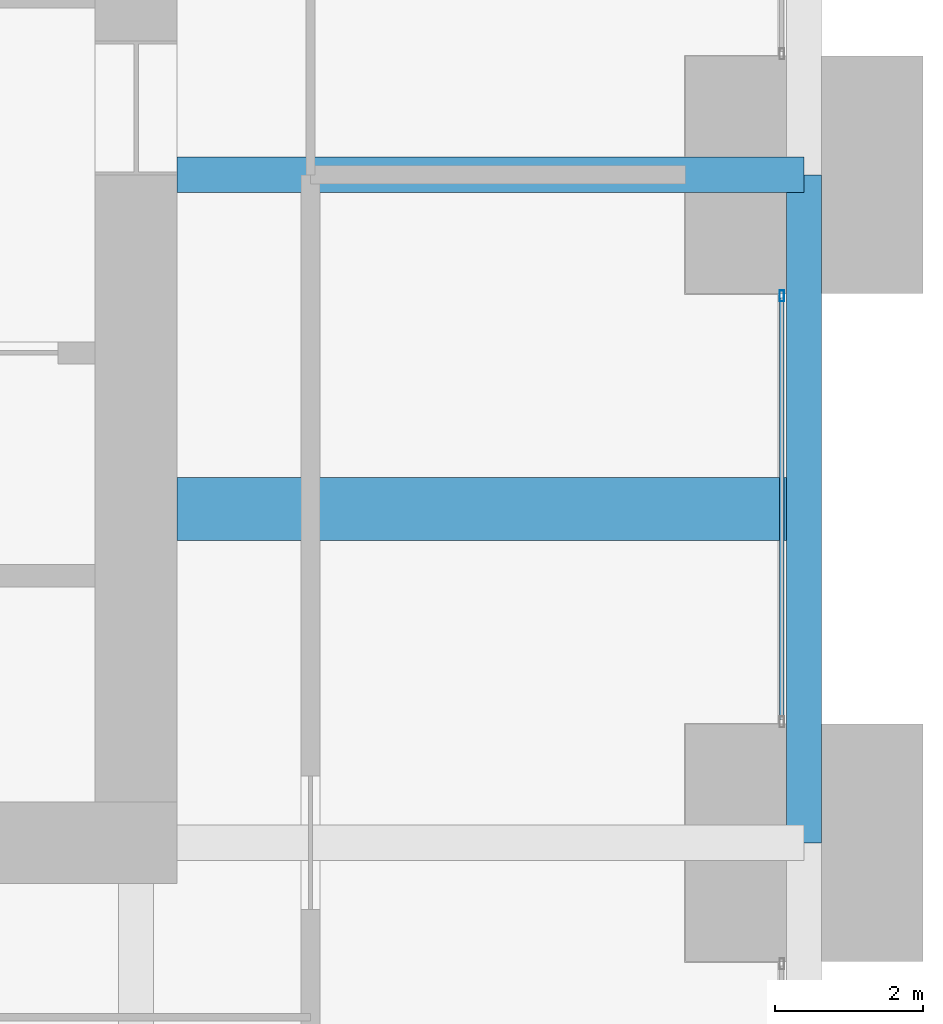
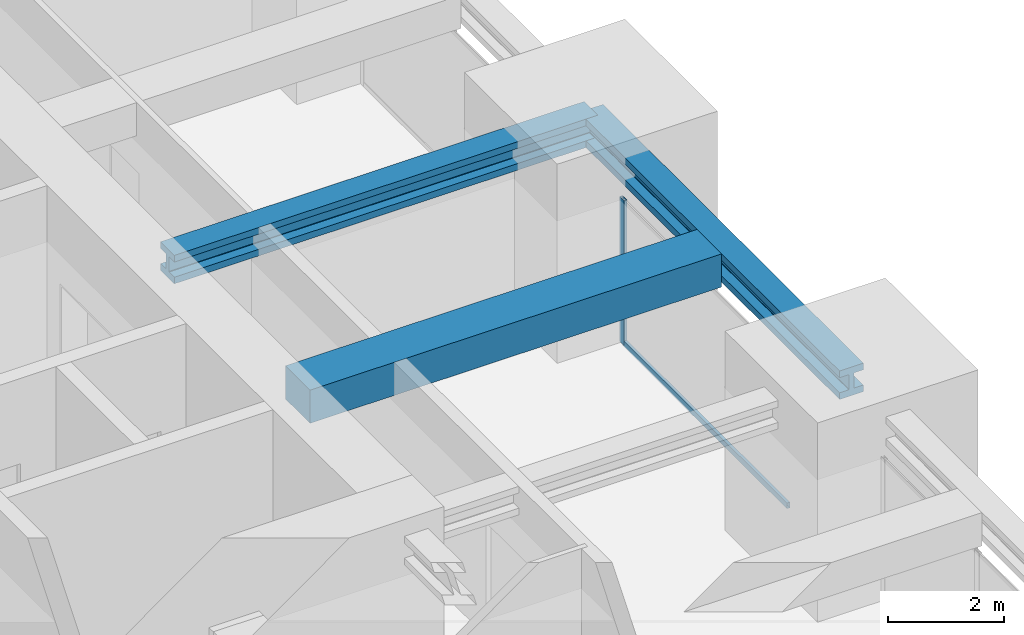
# One storey, part 21 of 39: 3 beams, 2 members, 1 element without a shape of its own.
"""IFC4 building model written with IfcOpenShell, lengths in metres."""

from ifc_helpers import new_model, si_unit, direction, frame, origin, origin_2d, place, context, subcontext, project, spatial, rectangle, hollow_rectangle, i_section, extrude, material, material_profile, profile_set, type_object, element, aggregate, save


model = new_model("IFC4")

# Units and contexts
model_context = context("Model", 3, precision=1e-05, world=origin(), true_north=direction((0.0, 1.0)))
body_context = subcontext(model_context, "Body", "Model", "MODEL_VIEW")
ifc_project = project(units=[si_unit("LENGTHUNIT", "METRE"), si_unit("AREAUNIT", "SQUARE_METRE"), si_unit("VOLUMEUNIT", "CUBIC_METRE"), si_unit("PLANEANGLEUNIT", "RADIAN"), si_unit("MASSUNIT", "GRAM", prefix="KILO")], contexts=[model_context])

# Site, building, storey
site_placement = place(None, origin())
site = spatial("IfcSite", under=ifc_project, at=site_placement, CompositionType="ELEMENT")
building_placement = place(site_placement, origin())
building = spatial("IfcBuilding", under=site, at=building_placement, Name="Zorevar Civic Tower", CompositionType="ELEMENT")
storey_placement = place(building_placement, frame((0.0, 0.0, 230.199951171875)))
storey = spatial("IfcBuildingStorey", under=building, at=storey_placement, Name="L56", CompositionType="ELEMENT", Elevation=230.199951171875)

# Beams
ifc_material_1 = material(Name="Concrete C50/60", Category="concrete")
ifc_material_profile_1 = material_profile(ifc_material_1, rectangle(XDim=0.85009765625, YDim=0.699951171875, at=origin_2d()), Name="RC 850x700")
ifc_profile_set_1 = profile_set([ifc_material_profile_1], Name="Concrete C50/60")
beam_type_1 = type_object("IfcBeamType", Name="Beam RC 850x700", PredefinedType="BEAM", material=ifc_profile_set_1)
beam_1_placement = place(storey_placement, frame((45.550048828125, 22.5, 3.5), z_axis=(1.0, 0.0, 0.0), x_axis=(0.0, 1.0, 0.0)))
element("IfcBeam", 1, at=beam_1_placement, inside=storey, type_object=beam_type_1, Name="Secondary beam L57", PredefinedType="BEAM", context=body_context, shape_type="SweptSolid", body=[
    extrude(rectangle(XDim=0.85009765625, YDim=0.699951171875, at=origin_2d()), origin(), (0.0, 0.0, 1.0), 8.2119140625),
])
ifc_material_2 = material(Name="Steel S460M (HISTAR 460)", Category="steel")
ifc_material_profile_2 = material_profile(ifc_material_2, i_section(OverallWidth=0.47607421875, OverallDepth=0.60009765625, WebThickness=0.10009765625, FlangeThickness=0.139892578125, FilletRadius=0.014892578125, at=origin_2d()), Name="HD 400x1299")
ifc_profile_set_2 = profile_set([ifc_material_profile_2], Name="Steel S460M (HISTAR 460)")
beam_type_2 = type_object("IfcBeamType", Name="Belt chord HD 400x1299", PredefinedType="BEAM", material=ifc_profile_set_2)
beam_2_placement = place(storey_placement, frame((54.0, 18.0, 3.550048828125), z_axis=(0.0, 1.0, 0.0), x_axis=(-1.0, 0.0, 0.0)))
element("IfcBeam", 2, at=beam_2_placement, inside=storey, type_object=beam_type_2, Name="Belt chord L57", PredefinedType="BEAM", context=body_context, shape_type="SweptSolid", body=[
    extrude(i_section(OverallWidth=0.47607421875, OverallDepth=0.60009765625, WebThickness=0.10009765625, FlangeThickness=0.139892578125, FilletRadius=0.014892578125, at=origin_2d()), origin(), (0.0, 0.0, 1.0), 9.0),
])

# Curtain wall, members
ifc_material_3 = material(Name="Dark grey solar-control glass in black aluminium frame", Category="aluminium")
curtain_wall_type = type_object("IfcCurtainWallType", Name="Curtain wall CW4 high zone", PredefinedType="NOTDEFINED", material=ifc_material_3)
curtain_wall_placement = place(storey_placement, origin())
curtain_wall = element("IfcCurtainWall", 3, at=curtain_wall_placement, inside=storey, type_object=curtain_wall_type, Name="CW4 L56", PredefinedType="NOTDEFINED")
ifc_material_4 = material(Name="Aluminium, black anodised", Category="aluminium")
ifc_material_profile_3 = material_profile(ifc_material_4, hollow_rectangle(XDim=0.06005859375, YDim=0.14990234375, WallThickness=0.00390625, at=origin_2d()), Name="AL 150x60x4")
ifc_profile_set_3 = profile_set([ifc_material_profile_3], Name="Aluminium, black anodised")
member_type_1 = type_object("IfcMemberType", Name="CW4 mullion AL 150x60x4", PredefinedType="MULLION", material=ifc_profile_set_3)
member_1_placement = place(storey_placement, frame((53.699951171875, 25.3701171875, 0.0), z_axis=(0.0, 0.0, 1.0), x_axis=(-1.0, 0.0, 0.0)))
member_1 = element("IfcMember", 4, at=member_1_placement, type_object=member_type_1, Name="CW4 mullion 2", PredefinedType="MULLION", context=body_context, shape_type="SweptSolid", body=[
    extrude(hollow_rectangle(XDim=0.06005859375, YDim=0.14990234375, WallThickness=0.00390625, at=origin_2d()), origin(), (0.0, 0.0, 1.0), 3.050048828125),
])
ifc_material_5 = material(Name="Aluminium, black anodised", Category="aluminium")
ifc_material_profile_4 = material_profile(ifc_material_5, hollow_rectangle(XDim=0.06005859375, YDim=0.1201171875, WallThickness=0.0029296875, at=origin_2d()), Name="AL 120x60x3")
ifc_profile_set_4 = profile_set([ifc_material_profile_4], Name="Aluminium, black anodised")
member_type_2 = type_object("IfcMemberType", Name="CW4 transom AL 120x60x3", PredefinedType="USERDEFINED", material=ifc_profile_set_4)
member_2_placement = place(storey_placement, frame((53.699951171875, 19.659912109375, 0.030029296875), z_axis=(0.0, 1.0, 0.0), x_axis=(-1.0, 0.0, 0.0)))
member_2 = element("IfcMember", 5, at=member_2_placement, type_object=member_type_2, Name="CW4 sill transom", ObjectType="TRANSOM", PredefinedType="USERDEFINED", context=body_context, shape_type="SweptSolid", body=[
    extrude(hollow_rectangle(XDim=0.06005859375, YDim=0.1201171875, WallThickness=0.0029296875, at=origin_2d()), origin(), (0.0, 0.0, 1.0), 5.68017578125),
])
aggregate(curtain_wall, [member_1, member_2])

# Beam
ifc_material_6 = material(Name="Steel S460M (HISTAR 460)", Category="steel")
ifc_material_profile_5 = material_profile(ifc_material_6, i_section(OverallWidth=0.47607421875, OverallDepth=0.60009765625, WebThickness=0.10009765625, FlangeThickness=0.139892578125, FilletRadius=0.014892578125, at=origin_2d()), Name="HD 400x1299")
ifc_profile_set_5 = profile_set([ifc_material_profile_5], Name="Steel S460M (HISTAR 460)")
beam_type_3 = type_object("IfcBeamType", Name="Outrigger chord HD 400x1299", PredefinedType="BEAM", material=ifc_profile_set_5)
beam_3_placement = place(storey_placement, frame((45.550048828125, 27.0, 3.550048828125), z_axis=(1.0, 0.0, 0.0), x_axis=(0.0, 1.0, 0.0)))
element("IfcBeam", 6, at=beam_3_placement, inside=storey, type_object=beam_type_3, Name="Outrigger chord L57", PredefinedType="BEAM", context=body_context, shape_type="SweptSolid", body=[
    extrude(i_section(OverallWidth=0.47607421875, OverallDepth=0.60009765625, WebThickness=0.10009765625, FlangeThickness=0.139892578125, FilletRadius=0.014892578125, at=origin_2d()), origin(), (0.0, 0.0, 1.0), 8.449951171875),
])

save(model, "model.ifc")
